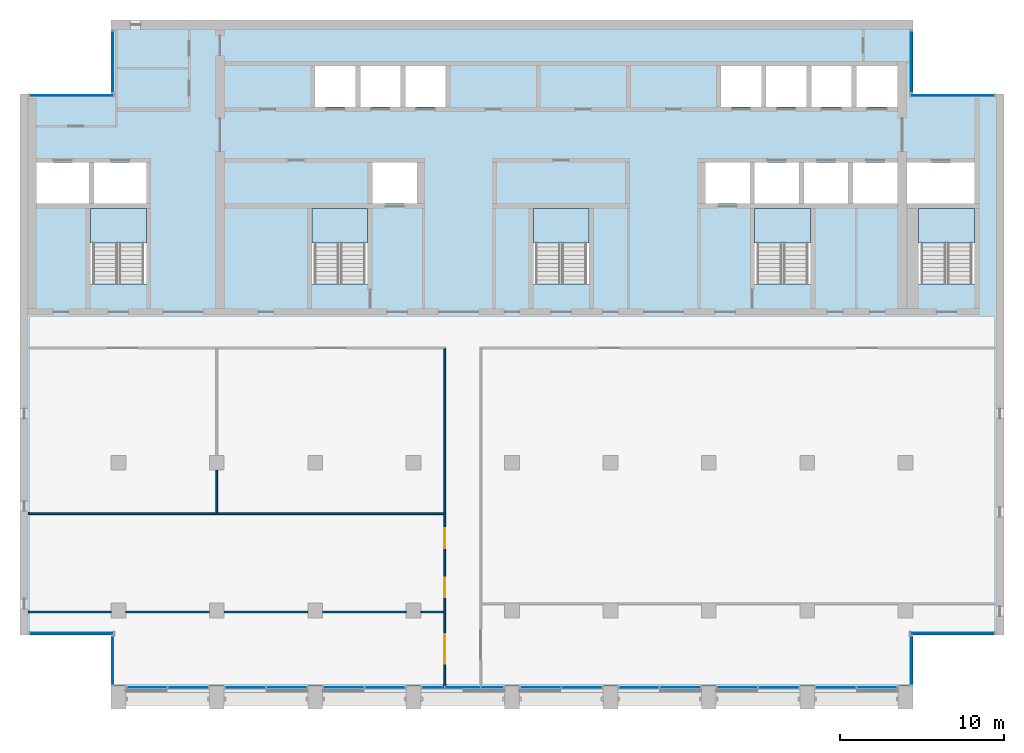
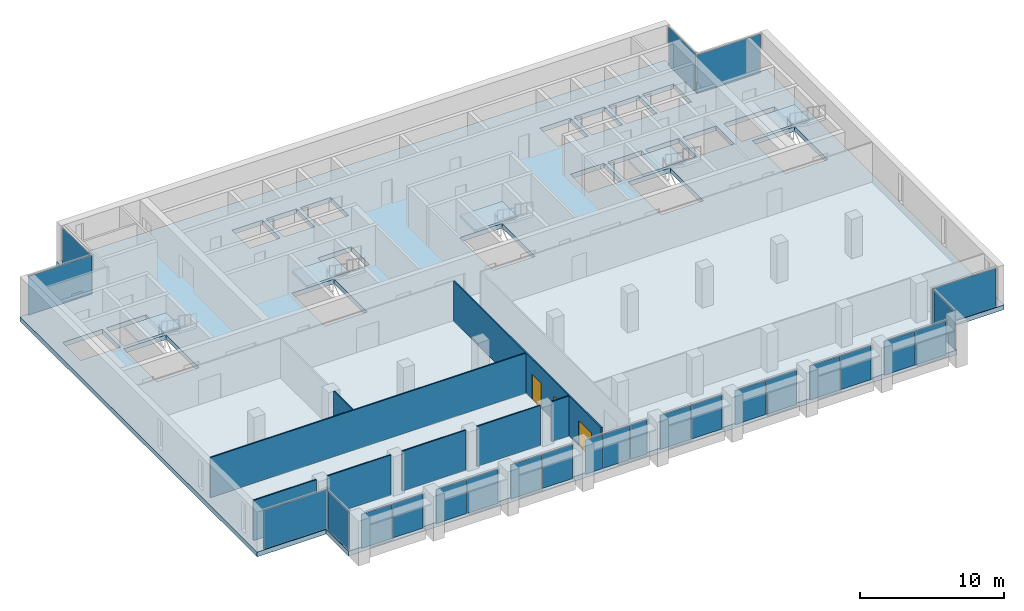
# One storey, part 6 of 14: 25 plates, 8 walls, 6 slabs, 3 doors, 3 openings, 21 elements without a shape of their own.
"""IFC4 building model written with IfcOpenShell, lengths in metres."""

from ifc_helpers import new_model, si_unit, direction, frame, frame_2d, origin, origin_2d, place, context, subcontext, project, spatial, polyline, rectangle, outline, extrude, material, layer, layer_set, type_object, element, fill, aggregate, save


model = new_model("IFC4")

# Units and contexts
model_context = context("Model", 3, precision=1e-05, world=origin(), true_north=direction((0.0, 1.0)))
body_context = subcontext(model_context, "Body", "Model", "MODEL_VIEW")
ifc_project = project(units=[si_unit("LENGTHUNIT", "METRE"), si_unit("AREAUNIT", "SQUARE_METRE"), si_unit("VOLUMEUNIT", "CUBIC_METRE"), si_unit("PLANEANGLEUNIT", "RADIAN"), si_unit("MASSUNIT", "GRAM", prefix="KILO")], contexts=[model_context])

# Site, building, storey
site_placement = place(None, origin())
site = spatial("IfcSite", under=ifc_project, at=site_placement, CompositionType="ELEMENT")
building_placement = place(site_placement, origin())
building = spatial("IfcBuilding", under=site, at=building_placement, Name="Calvaro Tower", CompositionType="ELEMENT")
storey_placement = place(building_placement, frame((0.0, 0.0, 239.35009765625)))
storey = spatial("IfcBuildingStorey", under=building, at=storey_placement, Name="L60", CompositionType="ELEMENT", Elevation=239.35009765625)

# Slab
ifc_material_1 = material(Name="Concrete C40/50", Category="concrete")
ifc_layer_1 = layer(ifc_material_1, 0.39990234375)
ifc_layer_set_1 = layer_set([ifc_layer_1], Name="Concrete C40/50")
slab_type_1 = type_object("IfcSlabType", Name="Floor slab 400 C40/50", PredefinedType="FLOOR", material=ifc_layer_set_1)
slab_1_placement = place(storey_placement, frame((0.0, 0.0, -0.400146484375)))
element("IfcSlab", 1, at=slab_1_placement, inside=storey, type_object=slab_type_1, Name="Floor slab", PredefinedType="FLOOR", context=body_context, shape_type="SweptSolid", body=[
    extrude(outline(polyline([(60.449951171875, 8.5), (60.449951171875, 5.39990234375), (11.550048828125, 5.39990234375), (11.550048828125, 8.5), (6.0, 8.5), (6.0, 41.5), (11.550048828125, 41.5), (11.550048828125, 46.0), (60.449951171875, 46.0), (60.449951171875, 41.5), (66.0, 41.5), (66.0, 8.5), (60.449951171875, 8.5)]), holes=[polyline([(10.300048828125, 29.909912109375), (10.300048828125, 34.5), (12.0, 34.5), (13.699951171875, 34.5), (13.699951171875, 29.909912109375), (12.0, 29.909912109375), (10.300048828125, 29.909912109375)]), polyline([(23.800048828125, 29.909912109375), (23.800048828125, 34.5), (25.5, 34.5), (27.199951171875, 34.5), (27.199951171875, 29.909912109375), (25.5, 29.909912109375), (23.800048828125, 29.909912109375)]), polyline([(37.300048828125, 29.909912109375), (37.300048828125, 34.5), (39.0, 34.5), (40.699951171875, 34.5), (40.699951171875, 29.909912109375), (39.0, 29.909912109375), (37.300048828125, 29.909912109375)]), polyline([(50.800048828125, 29.909912109375), (50.800048828125, 34.5), (52.5, 34.5), (54.199951171875, 34.5), (54.199951171875, 29.909912109375), (52.5, 29.909912109375), (50.800048828125, 29.909912109375)]), polyline([(60.800048828125, 29.909912109375), (60.800048828125, 34.5), (62.5, 34.5), (64.199951171875, 34.5), (64.199951171875, 29.909912109375), (62.5, 29.909912109375), (60.800048828125, 29.909912109375)]), polyline([(50.800048828125, 34.800048828125), (53.5, 34.800048828125), (53.5, 37.300048828125), (50.800048828125, 37.300048828125), (50.800048828125, 34.800048828125)]), polyline([(53.800048828125, 34.800048828125), (56.5, 34.800048828125), (56.5, 37.300048828125), (53.800048828125, 37.300048828125), (53.800048828125, 34.800048828125)]), polyline([(56.800048828125, 34.800048828125), (59.5, 34.800048828125), (59.5, 37.300048828125), (56.800048828125, 37.300048828125), (56.800048828125, 34.800048828125)]), polyline([(24.0, 40.699951171875), (26.449951171875, 40.699951171875), (26.449951171875, 43.199951171875), (24.0, 43.199951171875), (24.0, 40.699951171875)]), polyline([(26.75, 40.699951171875), (29.199951171875, 40.699951171875), (29.199951171875, 43.199951171875), (26.75, 43.199951171875), (26.75, 40.699951171875)]), polyline([(29.5, 40.699951171875), (31.949951171875, 40.699951171875), (31.949951171875, 43.199951171875), (29.5, 43.199951171875), (29.5, 40.699951171875)]), polyline([(48.75, 40.699951171875), (51.199951171875, 40.699951171875), (51.199951171875, 43.199951171875), (48.75, 43.199951171875), (48.75, 40.699951171875)]), polyline([(51.5, 40.699951171875), (53.949951171875, 40.699951171875), (53.949951171875, 43.199951171875), (51.5, 43.199951171875), (51.5, 40.699951171875)]), polyline([(54.25, 40.699951171875), (56.699951171875, 40.699951171875), (56.699951171875, 43.199951171875), (54.25, 43.199951171875), (54.25, 40.699951171875)]), polyline([(57.0, 40.699951171875), (59.5, 40.699951171875), (59.5, 43.199951171875), (57.0, 43.199951171875), (57.0, 40.699951171875)]), polyline([(7.0, 34.800048828125), (10.199951171875, 34.800048828125), (10.199951171875, 37.300048828125), (7.0, 37.300048828125), (7.0, 34.800048828125)]), polyline([(10.5, 34.800048828125), (13.699951171875, 34.800048828125), (13.699951171875, 37.300048828125), (10.5, 37.300048828125), (10.5, 34.800048828125)]), polyline([(60.10009765625, 34.800048828125), (64.199951171875, 34.800048828125), (64.199951171875, 37.300048828125), (60.10009765625, 37.300048828125), (60.10009765625, 34.800048828125)]), polyline([(27.5, 34.800048828125), (30.199951171875, 34.800048828125), (30.199951171875, 37.300048828125), (27.5, 37.300048828125), (27.5, 34.800048828125)]), polyline([(47.800048828125, 34.800048828125), (50.5, 34.800048828125), (50.5, 37.300048828125), (47.800048828125, 37.300048828125), (47.800048828125, 34.800048828125)])]), origin(), (0.0, 0.0, 1.0), 0.400146484375),
])

# Curtain wall, plates
ifc_material_2 = material(Name="Anodised aluminium", Category="aluminium")
curtain_wall_type = type_object("IfcCurtainWallType", Name="Executive curtain wall", PredefinedType="NOTDEFINED", material=ifc_material_2)
curtain_wall_1_placement = place(storey_placement, origin())
curtain_wall_1 = element("IfcCurtainWall", 2, at=curtain_wall_1_placement, inside=storey, type_object=curtain_wall_type, Name="CW4 south curtain wall", PredefinedType="NOTDEFINED")
ifc_material_3 = material(Name="Glass", Category="glass")
ifc_layer_2 = layer(ifc_material_3, 0.0400390625)
ifc_layer_set_2 = layer_set([ifc_layer_2], Name="Glass")
plate_type = type_object("IfcPlateType", Name="Glass panel S4 40", PredefinedType="CURTAIN_PANEL", material=ifc_layer_set_2)
plate_1_placement = place(storey_placement, frame((13.7451171875, 5.2900390625, 0.0), z_axis=(0.0, 0.0, 1.0), x_axis=(1.0, 0.0, 0.0)))
plate_1 = element("IfcPlate", 3, at=plate_1_placement, type_object=plate_type, Name="CW4 glass panel 1.1", PredefinedType="CURTAIN_PANEL", context=body_context, shape_type="SweptSolid", body=[
    extrude(rectangle(XDim=2.429931640625, YDim=0.0400390625, at=origin_2d()), origin(), (0.0, 0.0, 1.0), 2.8798828125),
])
plate_2_placement = place(storey_placement, frame((16.2548828125, 5.2900390625, 0.0), z_axis=(0.0, 0.0, 1.0), x_axis=(1.0, 0.0, 0.0)))
plate_2 = element("IfcPlate", 4, at=plate_2_placement, type_object=plate_type, Name="CW4 glass panel 2.1", PredefinedType="CURTAIN_PANEL", context=body_context, shape_type="SweptSolid", body=[
    extrude(rectangle(XDim=2.429931640625, YDim=0.0400390625, at=origin_2d()), origin(), (0.0, 0.0, 1.0), 2.8798828125),
])
aggregate(curtain_wall_1, [plate_1, plate_2])

curtain_wall_2_placement = place(storey_placement, origin())
curtain_wall_2 = element("IfcCurtainWall", 5, at=curtain_wall_2_placement, inside=storey, type_object=curtain_wall_type, Name="CW4 south curtain wall", PredefinedType="NOTDEFINED")
plate_3_placement = place(storey_placement, frame((19.7451171875, 5.2900390625, 0.0), z_axis=(0.0, 0.0, 1.0), x_axis=(1.0, 0.0, 0.0)))
plate_3 = element("IfcPlate", 6, at=plate_3_placement, type_object=plate_type, Name="CW4 glass panel 1.1", PredefinedType="CURTAIN_PANEL", context=body_context, shape_type="SweptSolid", body=[
    extrude(rectangle(XDim=2.429931640625, YDim=0.0400390625, at=origin_2d()), origin(), (0.0, 0.0, 1.0), 2.8798828125),
])
plate_4_placement = place(storey_placement, frame((22.2548828125, 5.2900390625, 0.0), z_axis=(0.0, 0.0, 1.0), x_axis=(1.0, 0.0, 0.0)))
plate_4 = element("IfcPlate", 7, at=plate_4_placement, type_object=plate_type, Name="CW4 glass panel 2.1", PredefinedType="CURTAIN_PANEL", context=body_context, shape_type="SweptSolid", body=[
    extrude(rectangle(XDim=2.429931640625, YDim=0.0400390625, at=origin_2d()), origin(), (0.0, 0.0, 1.0), 2.8798828125),
])
aggregate(curtain_wall_2, [plate_3, plate_4])

curtain_wall_3_placement = place(storey_placement, origin())
curtain_wall_3 = element("IfcCurtainWall", 8, at=curtain_wall_3_placement, inside=storey, type_object=curtain_wall_type, Name="CW4 south curtain wall", PredefinedType="NOTDEFINED")
plate_5_placement = place(storey_placement, frame((25.7451171875, 5.2900390625, 0.0), z_axis=(0.0, 0.0, 1.0), x_axis=(1.0, 0.0, 0.0)))
plate_5 = element("IfcPlate", 9, at=plate_5_placement, type_object=plate_type, Name="CW4 glass panel 1.1", PredefinedType="CURTAIN_PANEL", context=body_context, shape_type="SweptSolid", body=[
    extrude(rectangle(XDim=2.429931640625, YDim=0.0400390625, at=origin_2d()), origin(), (0.0, 0.0, 1.0), 2.8798828125),
])
plate_6_placement = place(storey_placement, frame((28.2548828125, 5.2900390625, 0.0), z_axis=(0.0, 0.0, 1.0), x_axis=(1.0, 0.0, 0.0)))
plate_6 = element("IfcPlate", 10, at=plate_6_placement, type_object=plate_type, Name="CW4 glass panel 2.1", PredefinedType="CURTAIN_PANEL", context=body_context, shape_type="SweptSolid", body=[
    extrude(rectangle(XDim=2.429931640625, YDim=0.0400390625, at=origin_2d()), origin(), (0.0, 0.0, 1.0), 2.8798828125),
])
aggregate(curtain_wall_3, [plate_5, plate_6])

curtain_wall_4_placement = place(storey_placement, origin())
curtain_wall_4 = element("IfcCurtainWall", 11, at=curtain_wall_4_placement, inside=storey, type_object=curtain_wall_type, Name="CW4 south curtain wall", PredefinedType="NOTDEFINED")
plate_7_placement = place(storey_placement, frame((31.195068359375, 5.2900390625, 0.0), z_axis=(0.0, 0.0, 1.0), x_axis=(1.0, 0.0, 0.0)))
plate_7 = element("IfcPlate", 12, at=plate_7_placement, type_object=plate_type, Name="CW4 glass panel 1.1", PredefinedType="CURTAIN_PANEL", context=body_context, shape_type="SweptSolid", body=[
    extrude(rectangle(XDim=1.330078125, YDim=0.0400390625, at=origin_2d()), origin(), (0.0, 0.0, 1.0), 2.8798828125),
])
plate_8_placement = place(storey_placement, frame((33.0, 5.2900390625, 0.0), z_axis=(0.0, 0.0, 1.0), x_axis=(1.0, 0.0, 0.0)))
plate_8 = element("IfcPlate", 13, at=plate_8_placement, type_object=plate_type, Name="CW4 glass panel 2.1", PredefinedType="CURTAIN_PANEL", context=body_context, shape_type="SweptSolid", body=[
    extrude(rectangle(XDim=2.1201171875, YDim=0.0400390625, at=origin_2d()), origin(), (0.0, 0.0, 1.0), 2.8798828125),
])
plate_9_placement = place(storey_placement, frame((34.804931640625, 5.2900390625, 0.0), z_axis=(0.0, 0.0, 1.0), x_axis=(1.0, 0.0, 0.0)))
plate_9 = element("IfcPlate", 14, at=plate_9_placement, type_object=plate_type, Name="CW4 glass panel 3.1", PredefinedType="CURTAIN_PANEL", context=body_context, shape_type="SweptSolid", body=[
    extrude(rectangle(XDim=1.330078125, YDim=0.0400390625, at=origin_2d()), origin(), (0.0, 0.0, 1.0), 2.8798828125),
])
aggregate(curtain_wall_4, [plate_7, plate_8, plate_9])

curtain_wall_5_placement = place(storey_placement, origin())
curtain_wall_5 = element("IfcCurtainWall", 15, at=curtain_wall_5_placement, inside=storey, type_object=curtain_wall_type, Name="CW4 south curtain wall", PredefinedType="NOTDEFINED")
plate_10_placement = place(storey_placement, frame((37.7451171875, 5.2900390625, 0.0), z_axis=(0.0, 0.0, 1.0), x_axis=(1.0, 0.0, 0.0)))
plate_10 = element("IfcPlate", 16, at=plate_10_placement, type_object=plate_type, Name="CW4 glass panel 1.1", PredefinedType="CURTAIN_PANEL", context=body_context, shape_type="SweptSolid", body=[
    extrude(rectangle(XDim=2.429931640625, YDim=0.0400390625, at=origin_2d()), origin(), (0.0, 0.0, 1.0), 2.8798828125),
])
plate_11_placement = place(storey_placement, frame((40.2548828125, 5.2900390625, 0.0), z_axis=(0.0, 0.0, 1.0), x_axis=(1.0, 0.0, 0.0)))
plate_11 = element("IfcPlate", 17, at=plate_11_placement, type_object=plate_type, Name="CW4 glass panel 2.1", PredefinedType="CURTAIN_PANEL", context=body_context, shape_type="SweptSolid", body=[
    extrude(rectangle(XDim=2.429931640625, YDim=0.0400390625, at=origin_2d()), origin(), (0.0, 0.0, 1.0), 2.8798828125),
])
aggregate(curtain_wall_5, [plate_10, plate_11])

curtain_wall_6_placement = place(storey_placement, origin())
curtain_wall_6 = element("IfcCurtainWall", 18, at=curtain_wall_6_placement, inside=storey, type_object=curtain_wall_type, Name="CW4 south curtain wall", PredefinedType="NOTDEFINED")
plate_12_placement = place(storey_placement, frame((43.7451171875, 5.2900390625, 0.0), z_axis=(0.0, 0.0, 1.0), x_axis=(1.0, 0.0, 0.0)))
plate_12 = element("IfcPlate", 19, at=plate_12_placement, type_object=plate_type, Name="CW4 glass panel 1.1", PredefinedType="CURTAIN_PANEL", context=body_context, shape_type="SweptSolid", body=[
    extrude(rectangle(XDim=2.429931640625, YDim=0.0400390625, at=origin_2d()), origin(), (0.0, 0.0, 1.0), 2.8798828125),
])
plate_13_placement = place(storey_placement, frame((46.2548828125, 5.2900390625, 0.0), z_axis=(0.0, 0.0, 1.0), x_axis=(1.0, 0.0, 0.0)))
plate_13 = element("IfcPlate", 20, at=plate_13_placement, type_object=plate_type, Name="CW4 glass panel 2.1", PredefinedType="CURTAIN_PANEL", context=body_context, shape_type="SweptSolid", body=[
    extrude(rectangle(XDim=2.429931640625, YDim=0.0400390625, at=origin_2d()), origin(), (0.0, 0.0, 1.0), 2.8798828125),
])
aggregate(curtain_wall_6, [plate_12, plate_13])

curtain_wall_7_placement = place(storey_placement, origin())
curtain_wall_7 = element("IfcCurtainWall", 21, at=curtain_wall_7_placement, inside=storey, type_object=curtain_wall_type, Name="CW4 south curtain wall", PredefinedType="NOTDEFINED")
plate_14_placement = place(storey_placement, frame((49.7451171875, 5.2900390625, 0.0), z_axis=(0.0, 0.0, 1.0), x_axis=(1.0, 0.0, 0.0)))
plate_14 = element("IfcPlate", 22, at=plate_14_placement, type_object=plate_type, Name="CW4 glass panel 1.1", PredefinedType="CURTAIN_PANEL", context=body_context, shape_type="SweptSolid", body=[
    extrude(rectangle(XDim=2.429931640625, YDim=0.0400390625, at=origin_2d()), origin(), (0.0, 0.0, 1.0), 2.8798828125),
])
plate_15_placement = place(storey_placement, frame((52.2548828125, 5.2900390625, 0.0), z_axis=(0.0, 0.0, 1.0), x_axis=(1.0, 0.0, 0.0)))
plate_15 = element("IfcPlate", 23, at=plate_15_placement, type_object=plate_type, Name="CW4 glass panel 2.1", PredefinedType="CURTAIN_PANEL", context=body_context, shape_type="SweptSolid", body=[
    extrude(rectangle(XDim=2.429931640625, YDim=0.0400390625, at=origin_2d()), origin(), (0.0, 0.0, 1.0), 2.8798828125),
])
aggregate(curtain_wall_7, [plate_14, plate_15])

curtain_wall_8_placement = place(storey_placement, origin())
curtain_wall_8 = element("IfcCurtainWall", 24, at=curtain_wall_8_placement, inside=storey, type_object=curtain_wall_type, Name="CW4 south curtain wall", PredefinedType="NOTDEFINED")
plate_16_placement = place(storey_placement, frame((55.7451171875, 5.2900390625, 0.0), z_axis=(0.0, 0.0, 1.0), x_axis=(1.0, 0.0, 0.0)))
plate_16 = element("IfcPlate", 25, at=plate_16_placement, type_object=plate_type, Name="CW4 glass panel 1.1", PredefinedType="CURTAIN_PANEL", context=body_context, shape_type="SweptSolid", body=[
    extrude(rectangle(XDim=2.429931640625, YDim=0.0400390625, at=origin_2d()), origin(), (0.0, 0.0, 1.0), 2.8798828125),
])
plate_17_placement = place(storey_placement, frame((58.2548828125, 5.2900390625, 0.0), z_axis=(0.0, 0.0, 1.0), x_axis=(1.0, 0.0, 0.0)))
plate_17 = element("IfcPlate", 26, at=plate_17_placement, type_object=plate_type, Name="CW4 glass panel 2.1", PredefinedType="CURTAIN_PANEL", context=body_context, shape_type="SweptSolid", body=[
    extrude(rectangle(XDim=2.429931640625, YDim=0.0400390625, at=origin_2d()), origin(), (0.0, 0.0, 1.0), 2.8798828125),
])
aggregate(curtain_wall_8, [plate_16, plate_17])

# Curtain wall, plate
curtain_wall_9_placement = place(storey_placement, origin())
curtain_wall_9 = element("IfcCurtainWall", 27, at=curtain_wall_9_placement, inside=storey, type_object=curtain_wall_type, Name="CW4 corner curtain wall", PredefinedType="NOTDEFINED")
plate_18_placement = place(storey_placement, frame((11.659912109375, 6.949951171875, 0.0), z_axis=(0.0, 0.0, 1.0), x_axis=(0.0, 1.0, 0.0)))
plate_18 = element("IfcPlate", 28, at=plate_18_placement, type_object=plate_type, Name="CW4 glass panel 1.1", PredefinedType="CURTAIN_PANEL", context=body_context, shape_type="SweptSolid", body=[
    extrude(rectangle(XDim=2.93994140625, YDim=0.0400390625, at=origin_2d()), origin(), (0.0, 0.0, 1.0), 3.280029296875),
])
aggregate(curtain_wall_9, [plate_18])

curtain_wall_10_placement = place(storey_placement, origin())
curtain_wall_10 = element("IfcCurtainWall", 29, at=curtain_wall_10_placement, inside=storey, type_object=curtain_wall_type, Name="CW4 corner curtain wall", PredefinedType="NOTDEFINED")
plate_19_placement = place(storey_placement, frame((9.135009765625, 8.610107421875, 0.0), z_axis=(0.0, 0.0, 1.0), x_axis=(1.0, 0.0, 0.0)))
plate_19 = element("IfcPlate", 30, at=plate_19_placement, type_object=plate_type, Name="CW4 glass panel 1.1", PredefinedType="CURTAIN_PANEL", context=body_context, shape_type="SweptSolid", body=[
    extrude(rectangle(XDim=5.110107421875, YDim=0.0400390625, at=origin_2d()), origin(), (0.0, 0.0, 1.0), 3.280029296875),
])
aggregate(curtain_wall_10, [plate_19])

curtain_wall_11_placement = place(storey_placement, origin())
curtain_wall_11 = element("IfcCurtainWall", 31, at=curtain_wall_11_placement, inside=storey, type_object=curtain_wall_type, Name="CW4 corner curtain wall", PredefinedType="NOTDEFINED")
plate_20_placement = place(storey_placement, frame((11.659912109375, 43.449951171875, 0.0), z_axis=(0.0, 0.0, 1.0), x_axis=(0.0, 1.0, 0.0)))
plate_20 = element("IfcPlate", 32, at=plate_20_placement, type_object=plate_type, Name="CW4 glass panel 1.1", PredefinedType="CURTAIN_PANEL", context=body_context, shape_type="SweptSolid", body=[
    extrude(rectangle(XDim=3.739990234375, YDim=0.0400390625, at=origin_2d()), origin(), (0.0, 0.0, 1.0), 3.280029296875),
])
aggregate(curtain_wall_11, [plate_20])

curtain_wall_12_placement = place(storey_placement, origin())
curtain_wall_12 = element("IfcCurtainWall", 33, at=curtain_wall_12_placement, inside=storey, type_object=curtain_wall_type, Name="CW4 corner curtain wall", PredefinedType="NOTDEFINED")
plate_21_placement = place(storey_placement, frame((9.135009765625, 41.389892578125, 0.0), z_axis=(0.0, 0.0, 1.0), x_axis=(1.0, 0.0, 0.0)))
plate_21 = element("IfcPlate", 34, at=plate_21_placement, type_object=plate_type, Name="CW4 glass panel 1.1", PredefinedType="CURTAIN_PANEL", context=body_context, shape_type="SweptSolid", body=[
    extrude(rectangle(XDim=5.110107421875, YDim=0.0400390625, at=origin_2d()), origin(), (0.0, 0.0, 1.0), 3.280029296875),
])
aggregate(curtain_wall_12, [plate_21])

curtain_wall_13_placement = place(storey_placement, origin())
curtain_wall_13 = element("IfcCurtainWall", 35, at=curtain_wall_13_placement, inside=storey, type_object=curtain_wall_type, Name="CW4 corner curtain wall", PredefinedType="NOTDEFINED")
plate_22_placement = place(storey_placement, frame((60.340087890625, 6.949951171875, 0.0), z_axis=(0.0, 0.0, 1.0), x_axis=(0.0, 1.0, 0.0)))
plate_22 = element("IfcPlate", 36, at=plate_22_placement, type_object=plate_type, Name="CW4 glass panel 1.1", PredefinedType="CURTAIN_PANEL", context=body_context, shape_type="SweptSolid", body=[
    extrude(rectangle(XDim=2.93994140625, YDim=0.0400390625, at=origin_2d()), origin(), (0.0, 0.0, 1.0), 3.280029296875),
])
aggregate(curtain_wall_13, [plate_22])

curtain_wall_14_placement = place(storey_placement, origin())
curtain_wall_14 = element("IfcCurtainWall", 37, at=curtain_wall_14_placement, inside=storey, type_object=curtain_wall_type, Name="CW4 corner curtain wall", PredefinedType="NOTDEFINED")
plate_23_placement = place(storey_placement, frame((62.864990234375, 8.610107421875, 0.0), z_axis=(0.0, 0.0, 1.0), x_axis=(1.0, 0.0, 0.0)))
plate_23 = element("IfcPlate", 38, at=plate_23_placement, type_object=plate_type, Name="CW4 glass panel 1.1", PredefinedType="CURTAIN_PANEL", context=body_context, shape_type="SweptSolid", body=[
    extrude(rectangle(XDim=5.110107421875, YDim=0.0400390625, at=origin_2d()), origin(), (0.0, 0.0, 1.0), 3.280029296875),
])
aggregate(curtain_wall_14, [plate_23])

curtain_wall_15_placement = place(storey_placement, origin())
curtain_wall_15 = element("IfcCurtainWall", 39, at=curtain_wall_15_placement, inside=storey, type_object=curtain_wall_type, Name="CW4 corner curtain wall", PredefinedType="NOTDEFINED")
plate_24_placement = place(storey_placement, frame((60.340087890625, 43.449951171875, 0.0), z_axis=(0.0, 0.0, 1.0), x_axis=(0.0, 1.0, 0.0)))
plate_24 = element("IfcPlate", 40, at=plate_24_placement, type_object=plate_type, Name="CW4 glass panel 1.1", PredefinedType="CURTAIN_PANEL", context=body_context, shape_type="SweptSolid", body=[
    extrude(rectangle(XDim=3.739990234375, YDim=0.0400390625, at=origin_2d()), origin(), (0.0, 0.0, 1.0), 3.280029296875),
])
aggregate(curtain_wall_15, [plate_24])

curtain_wall_16_placement = place(storey_placement, origin())
curtain_wall_16 = element("IfcCurtainWall", 41, at=curtain_wall_16_placement, inside=storey, type_object=curtain_wall_type, Name="CW4 corner curtain wall", PredefinedType="NOTDEFINED")
plate_25_placement = place(storey_placement, frame((62.864990234375, 41.389892578125, 0.0), z_axis=(0.0, 0.0, 1.0), x_axis=(1.0, 0.0, 0.0)))
plate_25 = element("IfcPlate", 42, at=plate_25_placement, type_object=plate_type, Name="CW4 glass panel 1.1", PredefinedType="CURTAIN_PANEL", context=body_context, shape_type="SweptSolid", body=[
    extrude(rectangle(XDim=5.110107421875, YDim=0.0400390625, at=origin_2d()), origin(), (0.0, 0.0, 1.0), 3.280029296875),
])
aggregate(curtain_wall_16, [plate_25])

# Stair, slab
ifc_material_4 = material(Name="Concrete C40/50", Category="concrete")
stair_type = type_object("IfcStairType", Name="Exit stair 1400 2 flights", PredefinedType="HALF_TURN_STAIR", material=ifc_material_4)
stair_1_placement = place(storey_placement, origin())
stair_1 = element("IfcStair", 43, at=stair_1_placement, inside=storey, type_object=stair_type, Name="Exit stair S1", PredefinedType="HALF_TURN_STAIR")
ifc_material_5 = material(Name="Concrete C40/50", Category="concrete")
ifc_layer_3 = layer(ifc_material_5, 0.199951171875)
ifc_layer_set_3 = layer_set([ifc_layer_3], Name="Concrete C40/50")
slab_type_2 = type_object("IfcSlabType", Name="Stair landing", PredefinedType="LANDING", material=ifc_layer_set_3)
slab_2_placement = place(storey_placement, frame((0.0, 0.0, 1.699951171875)))
slab_2 = element("IfcSlab", 44, at=slab_2_placement, type_object=slab_type_2, Name="Exit stair 1, landing 1", PredefinedType="LANDING", context=body_context, shape_type="SweptSolid", body=[
    extrude(outline(polyline([(11.89990234375, 32.389892578125), (10.5, 32.389892578125), (10.5, 32.39990234375), (10.300048828125, 32.39990234375), (10.300048828125, 34.5), (10.5, 34.5), (11.89990234375, 34.5), (12.10009765625, 34.5), (13.5, 34.5), (13.699951171875, 34.5), (13.699951171875, 32.39990234375), (13.5, 32.39990234375), (13.5, 32.389892578125), (12.10009765625, 32.389892578125), (12.10009765625, 32.39990234375), (11.89990234375, 32.39990234375), (11.89990234375, 32.389892578125)])), origin(), (0.0, 0.0, 1.0), 0.199951171875),
])
aggregate(stair_1, [slab_2])

stair_2_placement = place(storey_placement, origin())
stair_2 = element("IfcStair", 45, at=stair_2_placement, inside=storey, type_object=stair_type, Name="Exit stair S2", PredefinedType="HALF_TURN_STAIR")
slab_3_placement = place(storey_placement, frame((0.0, 0.0, 1.699951171875)))
slab_3 = element("IfcSlab", 46, at=slab_3_placement, type_object=slab_type_2, Name="Exit stair 2, landing 1", PredefinedType="LANDING", context=body_context, shape_type="SweptSolid", body=[
    extrude(outline(polyline([(25.39990234375, 32.389892578125), (24.0, 32.389892578125), (24.0, 32.39990234375), (23.800048828125, 32.39990234375), (23.800048828125, 34.5), (24.0, 34.5), (25.39990234375, 34.5), (25.60009765625, 34.5), (27.0, 34.5), (27.199951171875, 34.5), (27.199951171875, 32.39990234375), (27.0, 32.39990234375), (27.0, 32.389892578125), (25.60009765625, 32.389892578125), (25.60009765625, 32.39990234375), (25.39990234375, 32.39990234375), (25.39990234375, 32.389892578125)])), origin(), (0.0, 0.0, 1.0), 0.199951171875),
])
aggregate(stair_2, [slab_3])

stair_3_placement = place(storey_placement, origin())
stair_3 = element("IfcStair", 47, at=stair_3_placement, inside=storey, type_object=stair_type, Name="Exit stair S3", PredefinedType="HALF_TURN_STAIR")
slab_4_placement = place(storey_placement, frame((0.0, 0.0, 1.699951171875)))
slab_4 = element("IfcSlab", 48, at=slab_4_placement, type_object=slab_type_2, Name="Exit stair 3, landing 1", PredefinedType="LANDING", context=body_context, shape_type="SweptSolid", body=[
    extrude(outline(polyline([(38.89990234375, 32.389892578125), (37.5, 32.389892578125), (37.5, 32.39990234375), (37.300048828125, 32.39990234375), (37.300048828125, 34.5), (37.5, 34.5), (38.89990234375, 34.5), (39.10009765625, 34.5), (40.5, 34.5), (40.699951171875, 34.5), (40.699951171875, 32.39990234375), (40.5, 32.39990234375), (40.5, 32.389892578125), (39.10009765625, 32.389892578125), (39.10009765625, 32.39990234375), (38.89990234375, 32.39990234375), (38.89990234375, 32.389892578125)])), origin(), (0.0, 0.0, 1.0), 0.199951171875),
])
aggregate(stair_3, [slab_4])

stair_4_placement = place(storey_placement, origin())
stair_4 = element("IfcStair", 49, at=stair_4_placement, inside=storey, type_object=stair_type, Name="Exit stair S4", PredefinedType="HALF_TURN_STAIR")
slab_5_placement = place(storey_placement, frame((0.0, 0.0, 1.699951171875)))
slab_5 = element("IfcSlab", 50, at=slab_5_placement, type_object=slab_type_2, Name="Exit stair 4, landing 1", PredefinedType="LANDING", context=body_context, shape_type="SweptSolid", body=[
    extrude(outline(polyline([(52.39990234375, 32.389892578125), (51.0, 32.389892578125), (51.0, 32.39990234375), (50.800048828125, 32.39990234375), (50.800048828125, 34.5), (51.0, 34.5), (52.39990234375, 34.5), (52.60009765625, 34.5), (54.0, 34.5), (54.199951171875, 34.5), (54.199951171875, 32.39990234375), (54.0, 32.39990234375), (54.0, 32.389892578125), (52.60009765625, 32.389892578125), (52.60009765625, 32.39990234375), (52.39990234375, 32.39990234375), (52.39990234375, 32.389892578125)])), origin(), (0.0, 0.0, 1.0), 0.199951171875),
])
aggregate(stair_4, [slab_5])

stair_5_placement = place(storey_placement, origin())
stair_5 = element("IfcStair", 51, at=stair_5_placement, inside=storey, type_object=stair_type, Name="Exit stair S5", PredefinedType="HALF_TURN_STAIR")
slab_6_placement = place(storey_placement, frame((0.0, 0.0, 1.699951171875)))
slab_6 = element("IfcSlab", 52, at=slab_6_placement, type_object=slab_type_2, Name="Exit stair 5, landing 1", PredefinedType="LANDING", context=body_context, shape_type="SweptSolid", body=[
    extrude(outline(polyline([(62.39990234375, 32.389892578125), (61.0, 32.389892578125), (61.0, 32.39990234375), (60.800048828125, 32.39990234375), (60.800048828125, 34.5), (61.0, 34.5), (62.39990234375, 34.5), (62.60009765625, 34.5), (64.0, 34.5), (64.199951171875, 34.5), (64.199951171875, 32.39990234375), (64.0, 32.39990234375), (64.0, 32.389892578125), (62.60009765625, 32.389892578125), (62.60009765625, 32.39990234375), (62.39990234375, 32.39990234375), (62.39990234375, 32.389892578125)])), origin(), (0.0, 0.0, 1.0), 0.199951171875),
])
aggregate(stair_5, [slab_6])

# Walls
ifc_material_6 = material(Name="Plasterboard on steel studs", Category="steel")
ifc_layer_4 = layer(ifc_material_6, 0.10009765625)
ifc_layer_set_4 = layer_set([ifc_layer_4], Name="Plasterboard on steel studs")
wall_type = type_object("IfcWallType", Name="Partition 100", PredefinedType="PARTITIONING", material=ifc_layer_set_4)
wall_1_placement = place(storey_placement, frame((30.449951171875, 9.89990234375, 0.0), z_axis=(0.0, 0.0, 1.0), x_axis=(1.0, 0.0, 0.0)))
element("IfcWall", 53, at=wall_1_placement, inside=storey, type_object=wall_type, Name="Partition T34.W001", PredefinedType="PARTITIONING", context=body_context, shape_type="SweptSolid", body=[
    extrude(rectangle(XDim=1.400146484375, YDim=0.10009765625, at=frame_2d((0.7001953125, 0.0))), origin(), (0.0, 0.0, 1.0), 3.39990234375),
])
for number, where, z_axis, x_axis, name in (
    (54, (24.449951171875, 9.89990234375, 0.0), (0.0, 0.0, 1.0), (1.0, 0.0, 0.0), "Partition T34.W002"),
    (55, (18.449951171875, 9.89990234375, 0.0), (0.0, 0.0, 1.0), (1.0, 0.0, 0.0), "Partition T34.W003"),
    (56, (12.449951171875, 9.89990234375, 0.0), (0.0, 0.0, 1.0), (1.0, 0.0, 0.0), "Partition T34.W004"),
):
    element("IfcWall", number, at=place(storey_placement, frame(where, z_axis=z_axis, x_axis=x_axis)), inside=storey, type_object=wall_type, Name=name, PredefinedType="PARTITIONING", context=body_context, shape_type="SweptSolid", body=[
        extrude(rectangle(XDim=5.10009765625, YDim=0.10009765625, at=frame_2d((2.550048828125, 0.0))), origin(), (0.0, 0.0, 1.0), 3.39990234375),
    ])
wall_2_placement = place(storey_placement, frame((6.5, 9.89990234375, 0.0), z_axis=(0.0, 0.0, 1.0), x_axis=(1.0, 0.0, 0.0)))
element("IfcWall", 57, at=wall_2_placement, inside=storey, type_object=wall_type, Name="Partition T34.W005", PredefinedType="PARTITIONING", context=body_context, shape_type="SweptSolid", body=[
    extrude(rectangle(XDim=5.050048828125, YDim=0.10009765625, at=frame_2d((2.52490234375, 0.0))), origin(), (0.0, 0.0, 1.0), 3.39990234375),
])
wall_3_placement = place(storey_placement, frame((6.5, 15.89990234375, 0.0), z_axis=(0.0, 0.0, 1.0), x_axis=(1.0, 0.0, 0.0)))
element("IfcWall", 58, at=wall_3_placement, inside=storey, type_object=wall_type, Name="Partition T34.W007", PredefinedType="PARTITIONING", context=body_context, shape_type="SweptSolid", body=[
    extrude(rectangle(XDim=25.35009765625, YDim=0.10009765625, at=frame_2d((12.675048828125, 0.0))), origin(), (0.0, 0.0, 1.0), 3.39990234375),
])
wall_4_placement = place(storey_placement, frame((18.0, 15.949951171875, 0.0), z_axis=(0.0, 0.0, 1.0), x_axis=(0.0, 1.0, 0.0)))
element("IfcWall", 59, at=wall_4_placement, inside=storey, type_object=wall_type, Name="Partition T34.W010", PredefinedType="PARTITIONING", context=body_context, shape_type="SweptSolid", body=[
    extrude(rectangle(XDim=2.60009765625, YDim=0.10009765625, at=frame_2d((1.300048828125, 0.0))), origin(), (0.0, 0.0, 1.0), 3.39990234375),
])

# Wall, openings, doors
wall_5_placement = place(storey_placement, frame((31.89990234375, 5.39990234375, 0.0), z_axis=(0.0, 0.0, 1.0), x_axis=(0.0, 1.0, 0.0)))
wall_5 = element("IfcWall", 60, at=wall_5_placement, inside=storey, type_object=wall_type, Name="Partition T34.W012", PredefinedType="PARTITIONING", context=body_context, shape_type="SweptSolid", body=[
    extrude(rectangle(XDim=20.550048828125, YDim=0.10009765625, at=frame_2d((10.27490234375, 0.0))), origin(), (0.0, 0.0, 1.0), 3.39990234375),
])
opening_1_placement = place(wall_5_placement, frame((1.35009765625, 0.0, 0.0)))
opening_1 = element("IfcOpeningElement", 61, at=opening_1_placement, cuts=wall_5, Name="Opening T34.001", PredefinedType="OPENING", context=body_context, shape_type="SweptSolid", body=[
    extrude(rectangle(XDim=1.800048828125, YDim=2.10009765625, at=frame_2d((0.89990234375, 1.050048828125))), frame((0.0, 0.06005859375, 0.0), z_axis=(0.0, -1.0, 0.0), x_axis=(1.0, 0.0, 0.0)), (0.0, 0.0, 1.0), 0.1201171875),
])
opening_2_placement = place(wall_5_placement, frame((5.39990234375, 0.0, 0.0)))
opening_2 = element("IfcOpeningElement", 62, at=opening_2_placement, cuts=wall_5, Name="Opening T34.003", PredefinedType="OPENING", context=body_context, shape_type="SweptSolid", body=[
    extrude(rectangle(XDim=1.199951171875, YDim=2.10009765625, at=frame_2d((0.60009765625, 1.050048828125))), frame((0.0, 0.06005859375, 0.0), z_axis=(0.0, -1.0, 0.0), x_axis=(1.0, 0.0, 0.0)), (0.0, 0.0, 1.0), 0.1201171875),
])
opening_3_placement = place(wall_5_placement, frame((8.39990234375, 0.0, 0.0)))
opening_3 = element("IfcOpeningElement", 63, at=opening_3_placement, cuts=wall_5, Name="Opening T34.004", PredefinedType="OPENING", context=body_context, shape_type="SweptSolid", body=[
    extrude(rectangle(XDim=1.199951171875, YDim=2.10009765625, at=frame_2d((0.60009765625, 1.050048828125))), frame((0.0, 0.06005859375, 0.0), z_axis=(0.0, -1.0, 0.0), x_axis=(1.0, 0.0, 0.0)), (0.0, 0.0, 1.0), 0.1201171875),
])
ifc_material_7 = material(Name="Timber", Category="wood")
door_type_1 = type_object("IfcDoorType", Name="Internal double door 1800 x 2100", OperationType="DOUBLE_DOOR_SINGLE_SWING", PredefinedType="DOOR", material=ifc_material_7)
door_1_placement = place(opening_1_placement, origin())
door_1 = element("IfcDoor", 64, at=door_1_placement, inside=storey, type_object=door_type_1, Name="Door T34.001", OperationType="DOUBLE_DOOR_SINGLE_SWING", OverallHeight=2.10009765625, OverallWidth=1.800048828125, PredefinedType="DOOR", context=body_context, shape_type="SweptSolid", body=[
    extrude(rectangle(XDim=1.800048828125, YDim=2.10009765625, at=frame_2d((0.89990234375, 1.050048828125))), frame((0.0, 0.02490234375, 0.0), z_axis=(0.0, -1.0, 0.0), x_axis=(1.0, 0.0, 0.0)), (0.0, 0.0, 1.0), 0.050048828125),
])
fill(opening_1, door_1)
ifc_material_8 = material(Name="Timber", Category="wood")
door_type_2 = type_object("IfcDoorType", Name="Internal single door 1200 x 2100", OperationType="SINGLE_SWING_LEFT", PredefinedType="DOOR", material=ifc_material_8)
door_2_placement = place(opening_2_placement, origin())
door_2 = element("IfcDoor", 65, at=door_2_placement, inside=storey, type_object=door_type_2, Name="Door T34.003", OperationType="SINGLE_SWING_LEFT", OverallHeight=2.10009765625, OverallWidth=1.199951171875, PredefinedType="DOOR", context=body_context, shape_type="SweptSolid", body=[
    extrude(rectangle(XDim=1.199951171875, YDim=2.10009765625, at=frame_2d((0.60009765625, 1.050048828125))), frame((0.0, 0.02490234375, 0.0), z_axis=(0.0, -1.0, 0.0), x_axis=(1.0, 0.0, 0.0)), (0.0, 0.0, 1.0), 0.050048828125),
])
fill(opening_2, door_2)
door_3_placement = place(opening_3_placement, origin())
door_3 = element("IfcDoor", 66, at=door_3_placement, inside=storey, type_object=door_type_2, Name="Door T34.004", OperationType="SINGLE_SWING_LEFT", OverallHeight=2.10009765625, OverallWidth=1.199951171875, PredefinedType="DOOR", context=body_context, shape_type="SweptSolid", body=[
    extrude(rectangle(XDim=1.199951171875, YDim=2.10009765625, at=frame_2d((0.60009765625, 1.050048828125))), frame((0.0, 0.02490234375, 0.0), z_axis=(0.0, -1.0, 0.0), x_axis=(1.0, 0.0, 0.0)), (0.0, 0.0, 1.0), 0.050048828125),
])
fill(opening_3, door_3)

save(model, "model.ifc")
